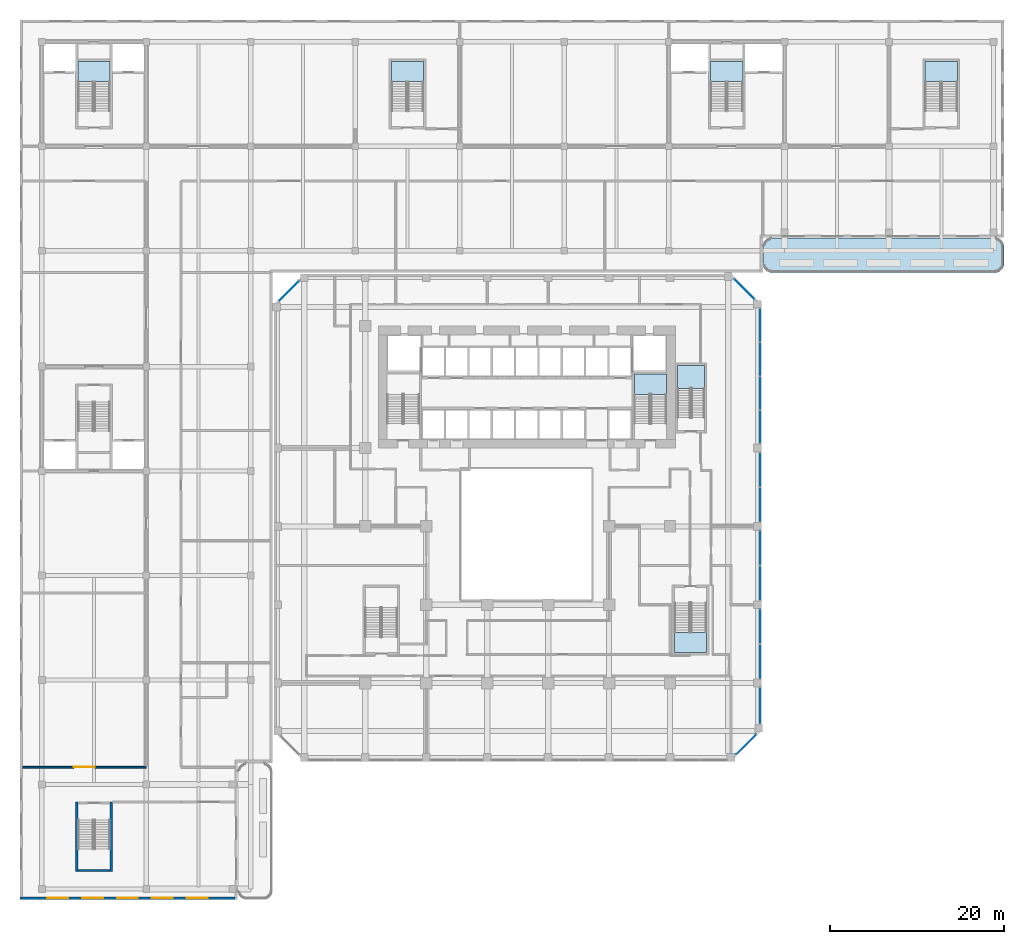
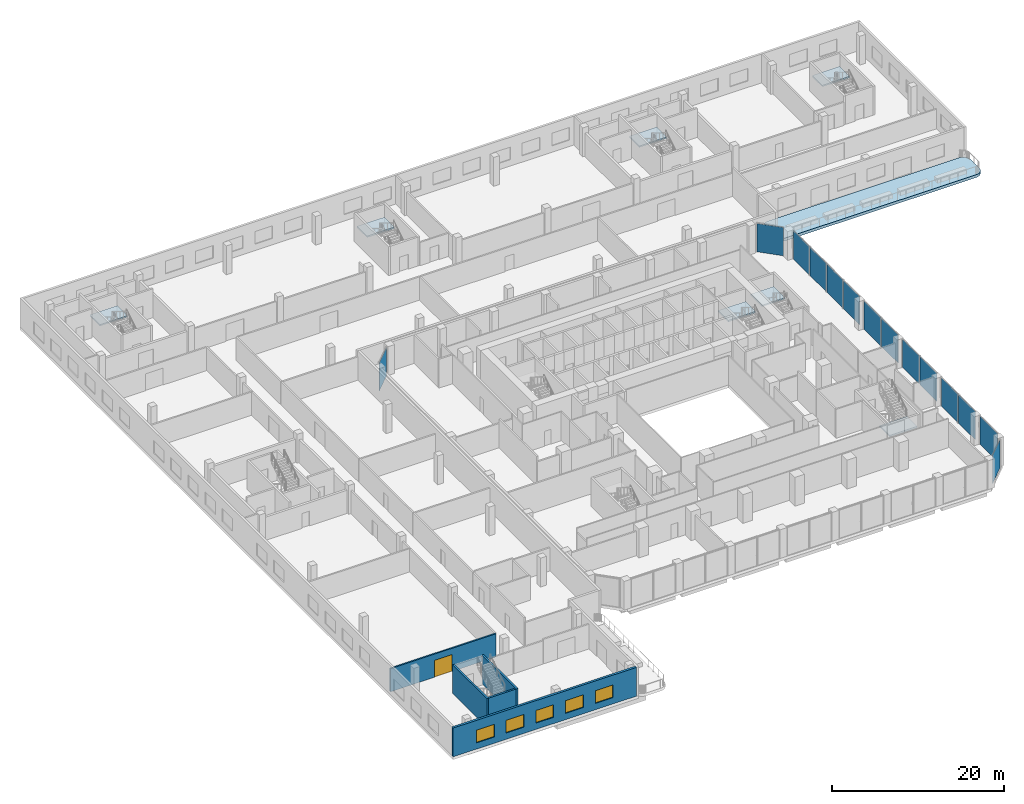
# One storey, part 12 of 35: 14 plates, 8 slabs, 5 walls, 5 windows, 1 door, 6 openings, 21 elements without a shape of their own.
"""IFC4 building model written with IfcOpenShell, lengths in metres."""

import ifcopenshell
import ifcopenshell.guid

model = None  # the IFC model being written
_history = None  # IfcOwnerHistory: only IFC2X3 demands one
_inside = {}  # id of a spatial element -> (the spatial element, [elements in it])
_under = {}  # id of a project, library or spatial element -> (it, [spatial elements below it])
_declared = {}  # id of a project -> (the project, [libraries it declares])
_typed = {}  # id of a type object -> (the type object, [elements of that type])
_made_of = {}  # id of a material, layer set ... -> (it, [elements and type objects made of it])


def new_model(schema):
    """Start an empty IFC model of exactly this schema.

    Asked for "IFC4X3", IfcOpenShell would pick the latest addendum, in which some entities
    have other attributes; the version numbers below select the first issue.
    IFC2X3 requires an IfcOwnerHistory on every rooted entity: one is made here for all.
    """
    global model, _history
    if schema == "IFC4X3":
        model = ifcopenshell.file(schema_version=(4, 3, 0, 0))
    else:
        model = ifcopenshell.file(schema=schema)
    _inside.clear()
    _under.clear()
    _declared.clear()
    _typed.clear()
    _made_of.clear()
    _history = None
    if model.schema == "IFC2X3":
        org = make("IfcOrganization", Name="unknown")
        user = make(
            "IfcPersonAndOrganization",
            ThePerson=make("IfcPerson", FamilyName="unknown"),
            TheOrganization=org,
        )
        app = make(
            "IfcApplication",
            ApplicationDeveloper=org,
            Version="unknown",
            ApplicationFullName="unknown",
            ApplicationIdentifier="unknown",
        )
        _history = make(
            "IfcOwnerHistory",
            OwningUser=user,
            OwningApplication=app,
            ChangeAction="ADDED",
            CreationDate=0,
        )
    return model


def make(cls, **values):
    """One entity of the class cls with the attributes given. An attribute that is None is left unset."""
    return model.create_entity(
        cls, **{name: value for name, value in values.items() if value is not None}
    )


def rooted(cls, **values):
    """An entity with a GlobalId (a new one), such as an element, a storey or a relation."""
    return make(cls, GlobalId=ifcopenshell.guid.new(), OwnerHistory=_history, **values)


def si_unit(unit_type, name, prefix=None):
    """IfcSIUnit, for example si_unit("LENGTHUNIT", "METRE", prefix="MILLI")."""
    return make("IfcSIUnit", UnitType=unit_type, Prefix=prefix, Name=name)


def assignment(units):
    """IfcUnitAssignment: the units of a project."""
    return None if units is None else make("IfcUnitAssignment", Units=units)


def point(xyz):
    """IfcCartesianPoint."""
    return None if xyz is None else make("IfcCartesianPoint", Coordinates=xyz)


def direction(xyz):
    """IfcDirection."""
    return None if xyz is None else make("IfcDirection", DirectionRatios=xyz)


def frame(location, z_axis=None, x_axis=None):
    """IfcAxis2Placement3D, a coordinate frame: its origin and axes. An axis left out is left unset."""
    return make(
        "IfcAxis2Placement3D",
        Location=point(location),
        Axis=direction(z_axis),
        RefDirection=direction(x_axis),
    )


def frame_2d(location, x_axis=None):
    """IfcAxis2Placement2D, a coordinate frame in the plane: its origin and x axis."""
    return make(
        "IfcAxis2Placement2D", Location=point(location), RefDirection=direction(x_axis)
    )


def origin():
    """The frame at (0, 0, 0) with its axes left unset."""
    return frame((0.0, 0.0, 0.0))


def origin_2d():
    """The frame at (0, 0) in the plane with its x axis left unset."""
    return frame_2d((0.0, 0.0))


def place(relative_to, where):
    """IfcLocalPlacement: puts the frame where relative to a parent placement (None: the world)."""
    return make(
        "IfcLocalPlacement", PlacementRelTo=relative_to, RelativePlacement=where
    )


def context(
    kind, dimensions, precision=None, world=None, true_north=None, identifier=None
):
    """IfcGeometricRepresentationContext, for example the 3D "Model" context."""
    return make(
        "IfcGeometricRepresentationContext",
        ContextIdentifier=identifier,
        ContextType=kind,
        CoordinateSpaceDimension=dimensions,
        Precision=precision,
        WorldCoordinateSystem=world,
        TrueNorth=true_north,
    )


def subcontext(parent, identifier, kind, view, scale=None):
    """IfcGeometricRepresentationSubContext, for example "Body" below "Model"."""
    return make(
        "IfcGeometricRepresentationSubContext",
        ContextIdentifier=identifier,
        ContextType=kind,
        ParentContext=parent,
        TargetScale=scale,
        TargetView=view,
    )


def project(units=None, contexts=None):
    """IfcProject with its units and contexts."""
    return rooted(
        "IfcProject",
        Name="project",
        RepresentationContexts=contexts,
        UnitsInContext=assignment(units),
    )


def spatial(cls, under=None, at=None, **own):
    """A site, building, storey or space (cls), placed at a placement, below another one or the project."""
    s = rooted(cls, ObjectPlacement=at, **own)
    if under is not None:
        _under.setdefault(under.id(), (under, []))[1].append(s)
    return s


def polyline(points):
    """IfcPolyline through the points."""
    return make("IfcPolyline", Points=[point(p) for p in points])


def profile(cls, at=None, kind="AREA", **sizes):
    """A parametric profile (cls). Its sizes go by their IFC names, for example OverallWidth=200.0."""
    return make(cls, ProfileType=kind, Position=at, **sizes)


def rectangle(**sizes):
    """IfcRectangleProfileDef."""
    return profile("IfcRectangleProfileDef", **sizes)


def outline(outer, holes=None, kind="AREA"):
    """IfcArbitraryClosedProfileDef: a profile drawn as a closed curve; with holes, ...WithVoids."""
    if holes is None:
        return make("IfcArbitraryClosedProfileDef", ProfileType=kind, OuterCurve=outer)
    return make(
        "IfcArbitraryProfileDefWithVoids",
        ProfileType=kind,
        OuterCurve=outer,
        InnerCurves=holes,
    )


def extrude(swept, where, along, depth):
    """IfcExtrudedAreaSolid: the profile swept, set in the frame where, extruded along a direction by depth."""
    return make(
        "IfcExtrudedAreaSolid",
        SweptArea=swept,
        Position=where,
        ExtrudedDirection=direction(along),
        Depth=depth,
    )


def shape(context_of_items, identifier, shape_type, items):
    """IfcShapeRepresentation: the items that make up one representation, for example the "Body"."""
    return make(
        "IfcShapeRepresentation",
        ContextOfItems=context_of_items,
        RepresentationIdentifier=identifier,
        RepresentationType=shape_type,
        Items=items,
    )


def source(mapping_origin, context_of_items, identifier, shape_type, items):
    """IfcRepresentationMap: a shape defined once, which mapped items show again and again."""
    return make(
        "IfcRepresentationMap",
        MappingOrigin=mapping_origin,
        MappedRepresentation=shape(context_of_items, identifier, shape_type, items),
    )


def transform(
    local_origin,
    x_axis=None,
    y_axis=None,
    z_axis=None,
    scale=None,
    scale2=None,
    scale3=None,
    uniform=True,
):
    """IfcCartesianTransformationOperator3D, or its non-uniform kind. x_axis, y_axis, z_axis: its Axis1, 2, 3."""
    if uniform:
        return make(
            "IfcCartesianTransformationOperator3D",
            Axis1=direction(x_axis),
            Axis2=direction(y_axis),
            LocalOrigin=point(local_origin),
            Scale=scale,
            Axis3=direction(z_axis),
        )
    return make(
        "IfcCartesianTransformationOperator3DnonUniform",
        Axis1=direction(x_axis),
        Axis2=direction(y_axis),
        LocalOrigin=point(local_origin),
        Scale=scale,
        Axis3=direction(z_axis),
        Scale2=scale2,
        Scale3=scale3,
    )


def mapped(mapping_source, mapping_target):
    """IfcMappedItem: shows the shape of a source again, moved by a transform."""
    return make(
        "IfcMappedItem", MappingSource=mapping_source, MappingTarget=mapping_target
    )


def material(Name=None, Category=None):
    """IfcMaterial."""
    return make("IfcMaterial", Name=Name, Category=Category)


def layer(
    of_material, thickness, ventilated=None, Name=None, Category=None, Priority=None
):
    """IfcMaterialLayer: one layer of a wall or slab, of a material (None: an air gap)."""
    return make(
        "IfcMaterialLayer",
        Material=of_material,
        LayerThickness=thickness,
        IsVentilated=ventilated,
        Name=Name,
        Category=Category,
        Priority=Priority,
    )


def layer_set(layers, Name=None):
    """IfcMaterialLayerSet."""
    return make("IfcMaterialLayerSet", MaterialLayers=layers, LayerSetName=Name)


def made_of(thing, what):
    """Note that an element or type object is made of a material, layer set ...; save() writes the relation."""
    if what is not None:
        _made_of.setdefault(what.id(), (what, []))[1].append(thing)
    return thing


def type_object(cls, material=None, **own):
    """A type object (cls), such as IfcWallType, which elements share."""
    return made_of(rooted(cls, **own), material)


def element(
    cls,
    number,
    at=None,
    inside=None,
    cuts=None,
    type_object=None,
    material=None,
    context=None,
    identifier="Body",
    shape_type=None,
    held_by="IfcProductDefinitionShape",
    body=None,
    shapes=None,
    **own,
):
    """One element of the class cls, such as IfcWall. Its Tag is "e" and its number.

    at: its placement. inside: the storey or other place that contains it. cuts: it is an
    opening in that element (IfcRelVoidsElement). A single representation is given by context,
    identifier, shape_type and body (its items); several are given by shapes. held_by: the class
    of the entity that holds the representations. save() writes the other relations.
    """
    e = rooted(cls, Tag="e%d" % number, ObjectPlacement=at, **own)
    if body is not None:
        shapes = [shape(context, identifier, shape_type, body)]
    if shapes is not None:
        e.Representation = make(held_by, Representations=shapes)
    if inside is not None:
        _inside.setdefault(inside.id(), (inside, []))[1].append(e)
    if cuts is not None:
        rooted(
            "IfcRelVoidsElement", RelatingBuildingElement=cuts, RelatedOpeningElement=e
        )
    if type_object is not None:
        _typed.setdefault(type_object.id(), (type_object, []))[1].append(e)
    return made_of(e, material)


def fill(opening, filler):
    """IfcRelFillsElement: the door or window that sits in an opening."""
    return rooted(
        "IfcRelFillsElement",
        RelatingOpeningElement=opening,
        RelatedBuildingElement=filler,
    )


def aggregate(whole, parts):
    """IfcRelAggregates: a whole, such as a stair, and the parts it consists of."""
    return rooted("IfcRelAggregates", RelatingObject=whole, RelatedObjects=parts)


def save(model, path):
    """Write the relations noted so far, then the file.

    IfcRelAggregates (storeys below a building ...), IfcRelContainedInSpatialStructure (elements
    in a storey), IfcRelDefinesByType, IfcRelAssociatesMaterial and IfcRelDeclares: one each for
    every whole, place, type object, material and project.
    """
    for whole, parts in _under.values():
        aggregate(whole, parts)
    for where, things in _inside.values():
        rooted(
            "IfcRelContainedInSpatialStructure",
            RelatedElements=things,
            RelatingStructure=where,
        )
    for kind, things in _typed.values():
        rooted("IfcRelDefinesByType", RelatedObjects=things, RelatingType=kind)
    for what, things in _made_of.values():
        rooted("IfcRelAssociatesMaterial", RelatedObjects=things, RelatingMaterial=what)
    for by, libraries in _declared.values():
        rooted("IfcRelDeclares", RelatingContext=by, RelatedDefinitions=libraries)
    model.write(path)


model = new_model("IFC4")

# Units and contexts
model_context = context("Model", 3, precision=1e-05, world=origin(), true_north=direction((0.0, 1.0)))
body_context = subcontext(model_context, "Body", "Model", "MODEL_VIEW")
ifc_project = project(units=[si_unit("LENGTHUNIT", "METRE"), si_unit("AREAUNIT", "SQUARE_METRE"), si_unit("VOLUMEUNIT", "CUBIC_METRE"), si_unit("PLANEANGLEUNIT", "RADIAN"), si_unit("MASSUNIT", "GRAM", prefix="KILO")], contexts=[model_context])

# Site, building, storey
site_placement = place(None, origin())
site = spatial("IfcSite", under=ifc_project, at=site_placement, CompositionType="ELEMENT")
building_placement = place(site_placement, origin())
building = spatial("IfcBuilding", under=site, at=building_placement, Name="Kilnfold Tower and Market Hall", CompositionType="ELEMENT")
storey_placement = place(building_placement, frame((0.0, 0.0, 13.5)))
storey = spatial("IfcBuildingStorey", under=building, at=storey_placement, Name="L02", CompositionType="ELEMENT", Elevation=13.5)

# Curtain wall, plate
ifc_material_1 = material(Name="Aluminium and double glazing", Category="aluminium")
curtain_wall_type = type_object("IfcCurtainWallType", Name="CW BASE PODIUM GLAZING", PredefinedType="NOTDEFINED", material=ifc_material_1)
curtain_wall_1_placement = place(storey_placement, origin())
curtain_wall_1 = element("IfcCurtainWall", 1, at=curtain_wall_1_placement, inside=storey, type_object=curtain_wall_type, Name="Curtain wall CW4 L02 E", PredefinedType="NOTDEFINED")
ifc_material_2 = material(Name="Double glazed unit")
ifc_layer_1 = layer(ifc_material_2, 0.035888671875)
ifc_layer_set_1 = layer_set([ifc_layer_1], Name="Double glazed unit")
plate_type = type_object("IfcPlateType", Name="GLAZING PANEL 36", PredefinedType="CURTAIN_PANEL", material=ifc_layer_set_1)
shared_shape_1 = source(origin(), body_context, "Body", "SweptSolid", [
    extrude(rectangle(XDim=3.909912109375, YDim=0.035888671875, at=origin_2d()), origin(), (0.0, 0.0, 1.0), 4.030029296875),
])
plate_1_placement = place(storey_placement, frame((27.85009765625, -16.52490234375, 0.0), z_axis=(0.0, 0.0, 1.0), x_axis=(0.0, 1.0, 0.0)))
plate_1 = element("IfcPlate", 2, at=plate_1_placement, type_object=plate_type, Name="CW4 panel 1.1", PredefinedType="CURTAIN_PANEL", context=body_context, shape_type="MappedRepresentation", body=[
    mapped(shared_shape_1, transform((0.0, 0.0, 0.0))),
])
aggregate(curtain_wall_1, [plate_1])

curtain_wall_2_placement = place(storey_placement, origin())
curtain_wall_2 = element("IfcCurtainWall", 3, at=curtain_wall_2_placement, inside=storey, type_object=curtain_wall_type, Name="Curtain wall CW4 L02 E", PredefinedType="NOTDEFINED")
plate_2_placement = place(storey_placement, frame((27.85009765625, -12.47509765625, 0.0), z_axis=(0.0, 0.0, 1.0), x_axis=(0.0, 1.0, 0.0)))
plate_2 = element("IfcPlate", 4, at=plate_2_placement, type_object=plate_type, Name="CW4 panel 1.1", PredefinedType="CURTAIN_PANEL", context=body_context, shape_type="MappedRepresentation", body=[
    mapped(shared_shape_1, transform((0.0, 0.0, 0.0))),
])
aggregate(curtain_wall_2, [plate_2])

curtain_wall_3_placement = place(storey_placement, origin())
curtain_wall_3 = element("IfcCurtainWall", 5, at=curtain_wall_3_placement, inside=storey, type_object=curtain_wall_type, Name="Curtain wall CW4 L02 E", PredefinedType="NOTDEFINED")
plate_3_placement = place(storey_placement, frame((27.85009765625, -7.52490234375, 0.0), z_axis=(0.0, 0.0, 1.0), x_axis=(0.0, 1.0, 0.0)))
plate_3 = element("IfcPlate", 6, at=plate_3_placement, type_object=plate_type, Name="CW4 panel 1.1", PredefinedType="CURTAIN_PANEL", context=body_context, shape_type="MappedRepresentation", body=[
    mapped(shared_shape_1, transform((0.0, 0.0, 0.0))),
])
aggregate(curtain_wall_3, [plate_3])

curtain_wall_4_placement = place(storey_placement, origin())
curtain_wall_4 = element("IfcCurtainWall", 7, at=curtain_wall_4_placement, inside=storey, type_object=curtain_wall_type, Name="Curtain wall CW4 L02 E", PredefinedType="NOTDEFINED")
plate_4_placement = place(storey_placement, frame((27.85009765625, -3.47509765625, 0.0), z_axis=(0.0, 0.0, 1.0), x_axis=(0.0, 1.0, 0.0)))
plate_4 = element("IfcPlate", 8, at=plate_4_placement, type_object=plate_type, Name="CW4 panel 1.1", PredefinedType="CURTAIN_PANEL", context=body_context, shape_type="MappedRepresentation", body=[
    mapped(shared_shape_1, transform((0.0, 0.0, 0.0))),
])
aggregate(curtain_wall_4, [plate_4])

curtain_wall_5_placement = place(storey_placement, origin())
curtain_wall_5 = element("IfcCurtainWall", 9, at=curtain_wall_5_placement, inside=storey, type_object=curtain_wall_type, Name="Curtain wall CW4 L02 E", PredefinedType="NOTDEFINED")
plate_5_placement = place(storey_placement, frame((27.85009765625, 1.47509765625, 0.0), z_axis=(0.0, 0.0, 1.0), x_axis=(0.0, 1.0, 0.0)))
plate_5 = element("IfcPlate", 10, at=plate_5_placement, type_object=plate_type, Name="CW4 panel 1.1", PredefinedType="CURTAIN_PANEL", context=body_context, shape_type="MappedRepresentation", body=[
    mapped(shared_shape_1, transform((0.0, 0.0, 0.0))),
])
aggregate(curtain_wall_5, [plate_5])

curtain_wall_6_placement = place(storey_placement, origin())
curtain_wall_6 = element("IfcCurtainWall", 11, at=curtain_wall_6_placement, inside=storey, type_object=curtain_wall_type, Name="Curtain wall CW4 L02 E", PredefinedType="NOTDEFINED")
plate_6_placement = place(storey_placement, frame((27.85009765625, 5.52490234375, 0.0), z_axis=(0.0, 0.0, 1.0), x_axis=(0.0, 1.0, 0.0)))
plate_6 = element("IfcPlate", 12, at=plate_6_placement, type_object=plate_type, Name="CW4 panel 1.1", PredefinedType="CURTAIN_PANEL", context=body_context, shape_type="MappedRepresentation", body=[
    mapped(shared_shape_1, transform((0.0, 0.0, 0.0))),
])
aggregate(curtain_wall_6, [plate_6])

curtain_wall_7_placement = place(storey_placement, origin())
curtain_wall_7 = element("IfcCurtainWall", 13, at=curtain_wall_7_placement, inside=storey, type_object=curtain_wall_type, Name="Curtain wall CW4 L02 E", PredefinedType="NOTDEFINED")
shared_shape_2 = source(origin(), body_context, "Body", "SweptSolid", [
    extrude(rectangle(XDim=3.760009765625, YDim=0.035888671875, at=origin_2d()), origin(), (0.0, 0.0, 1.0), 4.030029296875),
])
plate_7_placement = place(storey_placement, frame((27.85009765625, 10.39990234375, 0.0), z_axis=(0.0, 0.0, 1.0), x_axis=(0.0, 1.0, 0.0)))
plate_7 = element("IfcPlate", 14, at=plate_7_placement, type_object=plate_type, Name="CW4 panel 1.1", PredefinedType="CURTAIN_PANEL", context=body_context, shape_type="MappedRepresentation", body=[
    mapped(shared_shape_2, transform((0.0, 0.0, 0.0))),
])
aggregate(curtain_wall_7, [plate_7])

curtain_wall_8_placement = place(storey_placement, origin())
curtain_wall_8 = element("IfcCurtainWall", 15, at=curtain_wall_8_placement, inside=storey, type_object=curtain_wall_type, Name="Curtain wall CW4 L02 E", PredefinedType="NOTDEFINED")
plate_8_placement = place(storey_placement, frame((27.85009765625, 14.300048828125, 0.0), z_axis=(0.0, 0.0, 1.0), x_axis=(0.0, 1.0, 0.0)))
plate_8 = element("IfcPlate", 16, at=plate_8_placement, type_object=plate_type, Name="CW4 panel 1.1", PredefinedType="CURTAIN_PANEL", context=body_context, shape_type="MappedRepresentation", body=[
    mapped(shared_shape_2, transform((0.0, 0.0, 0.0))),
])
aggregate(curtain_wall_8, [plate_8])

curtain_wall_9_placement = place(storey_placement, origin())
curtain_wall_9 = element("IfcCurtainWall", 17, at=curtain_wall_9_placement, inside=storey, type_object=curtain_wall_type, Name="Curtain wall CW4 L02 E", PredefinedType="NOTDEFINED")
plate_9_placement = place(storey_placement, frame((27.85009765625, 18.199951171875, 0.0), z_axis=(0.0, 0.0, 1.0), x_axis=(0.0, 1.0, 0.0)))
plate_9 = element("IfcPlate", 18, at=plate_9_placement, type_object=plate_type, Name="CW4 panel 1.1", PredefinedType="CURTAIN_PANEL", context=body_context, shape_type="MappedRepresentation", body=[
    mapped(shared_shape_2, transform((0.0, 0.0, 0.0))),
])
aggregate(curtain_wall_9, [plate_9])

curtain_wall_10_placement = place(storey_placement, origin())
curtain_wall_10 = element("IfcCurtainWall", 19, at=curtain_wall_10_placement, inside=storey, type_object=curtain_wall_type, Name="Curtain wall CW4 L02 E", PredefinedType="NOTDEFINED")
plate_10_placement = place(storey_placement, frame((27.85009765625, 22.10009765625, 0.0), z_axis=(0.0, 0.0, 1.0), x_axis=(0.0, 1.0, 0.0)))
plate_10 = element("IfcPlate", 20, at=plate_10_placement, type_object=plate_type, Name="CW4 panel 1.1", PredefinedType="CURTAIN_PANEL", context=body_context, shape_type="MappedRepresentation", body=[
    mapped(shared_shape_2, transform((0.0, 0.0, 0.0))),
])
aggregate(curtain_wall_10, [plate_10])

curtain_wall_11_placement = place(storey_placement, origin())
curtain_wall_11 = element("IfcCurtainWall", 21, at=curtain_wall_11_placement, inside=storey, type_object=curtain_wall_type, Name="Curtain wall CW4 L02 SE", PredefinedType="NOTDEFINED")
shared_shape_3 = source(origin(), body_context, "Body", "SweptSolid", [
    extrude(rectangle(XDim=3.21875, YDim=0.035888671875, at=origin_2d()), origin(), (0.0, 0.0, 1.0), 4.030029296875),
])
plate_11_placement = place(storey_placement, frame((26.25634765625, -26.031494140625, 0.0), z_axis=(0.0, 0.0, 1.0), x_axis=(0.707121667181, 0.707091894879, 0.0)))
plate_11 = element("IfcPlate", 22, at=plate_11_placement, type_object=plate_type, Name="CW4 panel 1.1", PredefinedType="CURTAIN_PANEL", context=body_context, shape_type="MappedRepresentation", body=[
    mapped(shared_shape_3, transform((0.0, 0.0, 0.0))),
])
aggregate(curtain_wall_11, [plate_11])

curtain_wall_12_placement = place(storey_placement, origin())
curtain_wall_12 = element("IfcCurtainWall", 23, at=curtain_wall_12_placement, inside=storey, type_object=curtain_wall_type, Name="Curtain wall CW4 L02 NE", PredefinedType="NOTDEFINED")
plate_12_placement = place(storey_placement, frame((26.031494140625, 26.25634765625, 0.0), z_axis=(0.0, 0.0, 1.0), x_axis=(-0.707091894879, 0.707121667181, 0.0)))
plate_12 = element("IfcPlate", 24, at=plate_12_placement, type_object=plate_type, Name="CW4 panel 1.1", PredefinedType="CURTAIN_PANEL", context=body_context, shape_type="MappedRepresentation", body=[
    mapped(shared_shape_3, transform((0.0, 0.0, 0.0))),
])
aggregate(curtain_wall_12, [plate_12])

curtain_wall_13_placement = place(storey_placement, origin())
curtain_wall_13 = element("IfcCurtainWall", 25, at=curtain_wall_13_placement, inside=storey, type_object=curtain_wall_type, Name="Curtain wall CW4 L02 NW", PredefinedType="NOTDEFINED")
plate_13_placement = place(storey_placement, frame((-26.25634765625, 26.031494140625, 0.0), z_axis=(0.0, 0.0, 1.0), x_axis=(-0.707121667181, -0.707091894879, 0.0)))
plate_13 = element("IfcPlate", 26, at=plate_13_placement, type_object=plate_type, Name="CW4 panel 1.1", PredefinedType="CURTAIN_PANEL", context=body_context, shape_type="MappedRepresentation", body=[
    mapped(shared_shape_3, transform((0.0, 0.0, 0.0))),
])
aggregate(curtain_wall_13, [plate_13])

curtain_wall_14_placement = place(storey_placement, origin())
curtain_wall_14 = element("IfcCurtainWall", 27, at=curtain_wall_14_placement, inside=storey, type_object=curtain_wall_type, Name="Curtain wall CW4 L02 E", PredefinedType="NOTDEFINED")
shared_shape_4 = source(origin(), body_context, "Body", "SweptSolid", [
    extrude(rectangle(XDim=4.141845703125, YDim=0.035888671875, at=origin_2d()), origin(), (0.0, 0.0, 1.0), 4.030029296875),
])
plate_14_placement = place(storey_placement, frame((27.85009765625, -21.5908203125, 0.0), z_axis=(0.0, 0.0, 1.0), x_axis=(0.0, 1.0, 0.0)))
plate_14 = element("IfcPlate", 28, at=plate_14_placement, type_object=plate_type, Name="CW4 panel 1.1", PredefinedType="CURTAIN_PANEL", context=body_context, shape_type="MappedRepresentation", body=[
    mapped(shared_shape_4, transform((0.0, 0.0, 0.0))),
])
aggregate(curtain_wall_14, [plate_14])

# Slab
ifc_material_3 = material(Name="Concrete C40/50", Category="concrete")
ifc_layer_2 = layer(ifc_material_3, 0.39990234375)
ifc_layer_set_2 = layer_set([ifc_layer_2], Name="Concrete C40/50")
slab_type_1 = type_object("IfcSlabType", Name="TERRACE SLAB 400", PredefinedType="ROOF", material=ifc_layer_set_2)
shared_shape_5 = source(origin(), body_context, "Body", "SweptSolid", [
    extrude(outline(polyline([(55.85009765625, 29.14990234375), (55.84521484375, 29.052001953125), (55.830810546875, 28.954833984375), (55.806884765625, 28.859619140625), (55.77392578125, 28.767333984375), (55.73193359375, 28.6787109375), (55.681396484375, 28.594482421875), (55.623046875, 28.515625), (55.55712890625, 28.44287109375), (55.484375, 28.376953125), (55.405517578125, 28.318603515625), (55.3212890625, 28.26806640625), (55.232666015625, 28.22607421875), (55.140380859375, 28.193115234375), (55.045166015625, 28.169189453125), (54.947998046875, 28.15478515625), (54.85009765625, 28.14990234375), (29.159912109375, 28.14990234375), (29.06201171875, 28.15478515625), (28.96484375, 28.169189453125), (28.86962890625, 28.193115234375), (28.77734375, 28.22607421875), (28.688720703125, 28.26806640625), (28.6044921875, 28.318603515625), (28.525634765625, 28.376953125), (28.452880859375, 28.44287109375), (28.386962890625, 28.515625), (28.32861328125, 28.594482421875), (28.278076171875, 28.6787109375), (28.236083984375, 28.767333984375), (28.203125, 28.859619140625), (28.17919921875, 28.954833984375), (28.164794921875, 29.052001953125), (28.159912109375, 29.14990234375), (28.159912109375, 31.139892578125), (28.164794921875, 31.238037109375), (28.17919921875, 31.335205078125), (28.203125, 31.430419921875), (28.236083984375, 31.522705078125), (28.278076171875, 31.611328125), (28.32861328125, 31.695556640625), (28.386962890625, 31.7744140625), (28.452880859375, 31.84716796875), (28.525634765625, 31.9130859375), (28.6044921875, 31.971435546875), (28.688720703125, 32.02197265625), (28.77734375, 32.06396484375), (28.86962890625, 32.096923828125), (28.96484375, 32.120849609375), (29.06201171875, 32.13525390625), (29.159912109375, 32.139892578125), (54.85009765625, 32.139892578125), (54.947998046875, 32.13525390625), (55.045166015625, 32.120849609375), (55.140380859375, 32.096923828125), (55.232666015625, 32.06396484375), (55.3212890625, 32.02197265625), (55.405517578125, 31.971435546875), (55.484375, 31.9130859375), (55.55712890625, 31.84716796875), (55.623046875, 31.7744140625), (55.681396484375, 31.695556640625), (55.73193359375, 31.611328125), (55.77392578125, 31.522705078125), (55.806884765625, 31.430419921875), (55.830810546875, 31.335205078125), (55.84521484375, 31.238037109375), (55.85009765625, 31.139892578125), (55.85009765625, 29.14990234375)])), origin(), (0.0, 0.0, 1.0), 0.39990234375),
])
slab_1_placement = place(storey_placement, frame((0.0, 0.0, -0.39990234375)))
element("IfcSlab", 29, at=slab_1_placement, inside=storey, type_object=slab_type_1, Name="Terrace slab L02 part 2", PredefinedType="ROOF", context=body_context, shape_type="MappedRepresentation", body=[
    mapped(shared_shape_5, transform((0.0, 0.0, 0.0))),
])

# Stair, slab
ifc_material_4 = material(Name="Concrete C40/50", Category="concrete")
stair_type_1 = type_object("IfcStairType", Name="CORE STAIR 1800", PredefinedType="HALF_TURN_STAIR", material=ifc_material_4)
stair_1_placement = place(storey_placement, origin())
stair_1 = element("IfcStair", 30, at=stair_1_placement, inside=storey, type_object=stair_type_1, Name="L02 ST2", PredefinedType="HALF_TURN_STAIR")
ifc_material_5 = material(Name="Concrete C40/50", Category="concrete")
ifc_layer_3 = layer(ifc_material_5, 0.199951171875)
ifc_layer_set_3 = layer_set([ifc_layer_3], Name="Concrete C40/50")
slab_type_2 = type_object("IfcSlabType", Name="CORE STAIR LANDING 200", PredefinedType="LANDING", material=ifc_layer_set_3)
shared_shape_6 = source(origin(), body_context, "Body", "SweptSolid", [
    extrude(outline(polyline([(17.10009765625, 14.159912109375), (17.10009765625, 16.5), (13.39990234375, 16.5), (13.39990234375, 14.159912109375), (17.10009765625, 14.159912109375)])), origin(), (0.0, 0.0, 1.0), 0.199951171875),
])
slab_2_placement = place(storey_placement, frame((0.0, 0.0, 2.050048828125)))
slab_2 = element("IfcSlab", 31, at=slab_2_placement, type_object=slab_type_2, Name="ST2 landing 1", PredefinedType="LANDING", context=body_context, shape_type="MappedRepresentation", body=[
    mapped(shared_shape_6, transform((0.0, 0.0, 0.0))),
])
aggregate(stair_1, [slab_2])

stair_2_placement = place(storey_placement, origin())
stair_2 = element("IfcStair", 32, at=stair_2_placement, inside=storey, type_object=stair_type_1, Name="L02 ST4", PredefinedType="HALF_TURN_STAIR")
shared_shape_7 = source(origin(), body_context, "Body", "SweptSolid", [
    extrude(outline(polyline([(18.0, -13.159912109375), (18.0, -15.5), (21.699951171875, -15.5), (21.699951171875, -13.159912109375), (18.0, -13.159912109375)])), origin(), (0.0, 0.0, 1.0), 0.199951171875),
])
slab_3_placement = place(storey_placement, frame((0.0, 0.0, 2.050048828125)))
slab_3 = element("IfcSlab", 33, at=slab_3_placement, type_object=slab_type_2, Name="ST4 landing 1", PredefinedType="LANDING", context=body_context, shape_type="MappedRepresentation", body=[
    mapped(shared_shape_7, transform((0.0, 0.0, 0.0))),
])
aggregate(stair_2, [slab_3])

ifc_material_6 = material(Name="Concrete C40/50", Category="concrete")
stair_type_2 = type_object("IfcStairType", Name="CORE STAIR 1500", PredefinedType="HALF_TURN_STAIR", material=ifc_material_6)
stair_3_placement = place(storey_placement, origin())
stair_3 = element("IfcStair", 34, at=stair_3_placement, inside=storey, type_object=stair_type_2, Name="L02 ST5", PredefinedType="HALF_TURN_STAIR")
shared_shape_8 = source(origin(), body_context, "Body", "SweptSolid", [
    extrude(outline(polyline([(21.449951171875, 14.860107421875), (21.449951171875, 17.5), (18.35009765625, 17.5), (18.35009765625, 14.860107421875), (21.449951171875, 14.860107421875)])), origin(), (0.0, 0.0, 1.0), 0.199951171875),
])
slab_4_placement = place(storey_placement, frame((0.0, 0.0, 2.050048828125)))
slab_4 = element("IfcSlab", 35, at=slab_4_placement, type_object=slab_type_2, Name="ST5 landing 1", PredefinedType="LANDING", context=body_context, shape_type="MappedRepresentation", body=[
    mapped(shared_shape_8, transform((0.0, 0.0, 0.0))),
])
aggregate(stair_3, [slab_4])

ifc_material_7 = material(Name="Concrete C40/50", Category="concrete")
stair_type_3 = type_object("IfcStairType", Name="HALL STAIR", PredefinedType="HALF_TURN_STAIR", material=ifc_material_7)
stair_4_placement = place(storey_placement, origin())
stair_4 = element("IfcStair", 36, at=stair_4_placement, inside=storey, type_object=stair_type_3, Name="L02 MS3", PredefinedType="HALF_TURN_STAIR")
ifc_material_8 = material(Name="Concrete C40/50", Category="concrete")
ifc_layer_4 = layer(ifc_material_8, 0.199951171875)
ifc_layer_set_4 = layer_set([ifc_layer_4], Name="Concrete C40/50")
slab_type_3 = type_object("IfcSlabType", Name="HALL STAIR LANDING", PredefinedType="LANDING", material=ifc_layer_set_4)
shared_shape_9 = source(origin(), body_context, "Body", "SweptSolid", [
    extrude(outline(polyline([(-46.800048828125, 50.06005859375), (-46.800048828125, 52.39990234375), (-50.5, 52.39990234375), (-50.5, 50.06005859375), (-46.800048828125, 50.06005859375)])), origin(), (0.0, 0.0, 1.0), 0.199951171875),
])
slab_5_placement = place(storey_placement, frame((0.0, 0.0, 2.050048828125)))
slab_5 = element("IfcSlab", 37, at=slab_5_placement, type_object=slab_type_3, Name="MS3 landing 1", PredefinedType="LANDING", context=body_context, shape_type="MappedRepresentation", body=[
    mapped(shared_shape_9, transform((0.0, 0.0, 0.0))),
])
aggregate(stair_4, [slab_5])

stair_5_placement = place(storey_placement, origin())
stair_5 = element("IfcStair", 38, at=stair_5_placement, inside=storey, type_object=stair_type_3, Name="L02 MS4", PredefinedType="HALF_TURN_STAIR")
shared_shape_10 = source(origin(), body_context, "Body", "SweptSolid", [
    extrude(outline(polyline([(-10.800048828125, 50.06005859375), (-10.800048828125, 52.39990234375), (-14.5, 52.39990234375), (-14.5, 50.06005859375), (-10.800048828125, 50.06005859375)])), origin(), (0.0, 0.0, 1.0), 0.199951171875),
])
slab_6_placement = place(storey_placement, frame((0.0, 0.0, 2.050048828125)))
slab_6 = element("IfcSlab", 39, at=slab_6_placement, type_object=slab_type_3, Name="MS4 landing 1", PredefinedType="LANDING", context=body_context, shape_type="MappedRepresentation", body=[
    mapped(shared_shape_10, transform((0.0, 0.0, 0.0))),
])
aggregate(stair_5, [slab_6])

stair_6_placement = place(storey_placement, origin())
stair_6 = element("IfcStair", 40, at=stair_6_placement, inside=storey, type_object=stair_type_3, Name="L02 MS5", PredefinedType="HALF_TURN_STAIR")
shared_shape_11 = source(origin(), body_context, "Body", "SweptSolid", [
    extrude(outline(polyline([(25.85009765625, 50.06005859375), (25.85009765625, 52.39990234375), (22.14990234375, 52.39990234375), (22.14990234375, 50.06005859375), (25.85009765625, 50.06005859375)])), origin(), (0.0, 0.0, 1.0), 0.199951171875),
])
slab_7_placement = place(storey_placement, frame((0.0, 0.0, 2.050048828125)))
slab_7 = element("IfcSlab", 41, at=slab_7_placement, type_object=slab_type_3, Name="MS5 landing 1", PredefinedType="LANDING", context=body_context, shape_type="MappedRepresentation", body=[
    mapped(shared_shape_11, transform((0.0, 0.0, 0.0))),
])
aggregate(stair_6, [slab_7])

stair_7_placement = place(storey_placement, origin())
stair_7 = element("IfcStair", 42, at=stair_7_placement, inside=storey, type_object=stair_type_3, Name="L02 MS6", PredefinedType="HALF_TURN_STAIR")
shared_shape_12 = source(origin(), body_context, "Body", "SweptSolid", [
    extrude(outline(polyline([(50.5, 50.06005859375), (50.5, 52.39990234375), (46.800048828125, 52.39990234375), (46.800048828125, 50.06005859375), (50.5, 50.06005859375)])), origin(), (0.0, 0.0, 1.0), 0.199951171875),
])
slab_8_placement = place(storey_placement, frame((0.0, 0.0, 2.050048828125)))
slab_8 = element("IfcSlab", 43, at=slab_8_placement, type_object=slab_type_3, Name="MS6 landing 1", PredefinedType="LANDING", context=body_context, shape_type="MappedRepresentation", body=[
    mapped(shared_shape_12, transform((0.0, 0.0, 0.0))),
])
aggregate(stair_7, [slab_8])

# Walls
ifc_material_9 = material(Name="Concrete C50/60", Category="concrete")
ifc_layer_5 = layer(ifc_material_9, 0.25)
ifc_layer_set_5 = layer_set([ifc_layer_5], Name="Concrete C50/60")
wall_type_1 = type_object("IfcWallType", Name="HALL CORE WALL 250", PredefinedType="SHEAR", material=ifc_layer_set_5)
shared_shape_13 = source(origin(), body_context, "Body", "SweptSolid", [
    extrude(rectangle(XDim=3.699951171875, YDim=0.25, at=frame_2d((1.85009765625, 0.0))), origin(), (0.0, 0.0, 1.0), 4.10009765625),
])
wall_1_placement = place(storey_placement, frame((-50.5, -40.52490234375, 0.0), z_axis=(0.0, 0.0, 1.0), x_axis=(1.0, 0.0, 0.0)))
element("IfcWall", 44, at=wall_1_placement, inside=storey, type_object=wall_type_1, Name="Core wall MS1", PredefinedType="SHEAR", context=body_context, shape_type="MappedRepresentation", body=[
    mapped(shared_shape_13, transform((0.0, 0.0, 0.0))),
])
shared_shape_14 = source(origin(), body_context, "Body", "SweptSolid", [
    extrude(rectangle(XDim=8.0, YDim=0.25, at=frame_2d((4.0, 0.0))), origin(), (0.0, 0.0, 1.0), 4.10009765625),
])
for number, where, z_axis, x_axis, name in (
    (45, (-50.625, -40.64990234375, 0.0), (0.0, 0.0, 1.0), (0.0, 1.0, 0.0), "Core wall MS1"),
    (46, (-46.675048828125, -40.64990234375, 0.0), (0.0, 0.0, 1.0), (0.0, 1.0, 0.0), "Core wall MS1"),
):
    element("IfcWall", number, at=place(storey_placement, frame(where, z_axis=z_axis, x_axis=x_axis)), inside=storey, type_object=wall_type_1, Name=name, PredefinedType="SHEAR", context=body_context, shape_type="MappedRepresentation", body=[
        mapped(shared_shape_14, transform((0.0, 0.0, 0.0))),
    ])

# Wall, openings, windows
ifc_material_10 = material(Name="Concrete blockwork", Category="masonry")
ifc_layer_6 = layer(ifc_material_10, 0.300048828125)
ifc_layer_set_6 = layer_set([ifc_layer_6], Name="Concrete blockwork")
wall_type_2 = type_object("IfcWallType", Name="HALL EXTERNAL WALL 300 EI 60", PredefinedType="SOLIDWALL", material=ifc_layer_set_6)
shared_shape_15 = source(origin(), body_context, "Body", "SweptSolid", [
    extrude(rectangle(XDim=24.699951171875, YDim=0.300048828125, at=frame_2d((12.35009765625, 0.0))), origin(), (0.0, 0.0, 1.0), 4.10009765625),
])
wall_2_placement = place(storey_placement, frame((-32.449951171875, -43.699951171875, 0.0), z_axis=(0.0, 0.0, 1.0), x_axis=(-1.0, 0.0, 0.0)))
wall_2 = element("IfcWall", 47, at=wall_2_placement, inside=storey, type_object=wall_type_2, Name="External wall MEW-L02.10", PredefinedType="SOLIDWALL", context=body_context, shape_type="MappedRepresentation", body=[
    mapped(shared_shape_15, transform((0.0, 0.0, 0.0))),
])
opening_1_placement = place(wall_2_placement, frame((3.14990234375, 0.0, 0.89990234375)))
opening_1 = element("IfcOpeningElement", 48, at=opening_1_placement, cuts=wall_2, Name="Opening MEN3", PredefinedType="OPENING", context=body_context, shape_type="SweptSolid", body=[
    extrude(rectangle(XDim=2.39990234375, YDim=1.800048828125, at=frame_2d((1.199951171875, 0.89990234375))), frame((0.0, 0.16015625, 0.0), z_axis=(0.0, -1.0, 0.0), x_axis=(1.0, 0.0, 0.0)), (0.0, 0.0, 1.0), 0.320068359375),
])
opening_2_placement = place(wall_2_placement, frame((7.14990234375, 0.0, 0.89990234375)))
opening_2 = element("IfcOpeningElement", 49, at=opening_2_placement, cuts=wall_2, Name="Opening MEN3", PredefinedType="OPENING", context=body_context, shape_type="SweptSolid", body=[
    extrude(rectangle(XDim=2.39990234375, YDim=1.800048828125, at=frame_2d((1.199951171875, 0.89990234375))), frame((0.0, 0.16015625, 0.0), z_axis=(0.0, -1.0, 0.0), x_axis=(1.0, 0.0, 0.0)), (0.0, 0.0, 1.0), 0.320068359375),
])
opening_3_placement = place(wall_2_placement, frame((11.14990234375, 0.0, 0.89990234375)))
opening_3 = element("IfcOpeningElement", 50, at=opening_3_placement, cuts=wall_2, Name="Opening MEN3", PredefinedType="OPENING", context=body_context, shape_type="SweptSolid", body=[
    extrude(rectangle(XDim=2.39990234375, YDim=1.800048828125, at=frame_2d((1.199951171875, 0.89990234375))), frame((0.0, 0.16015625, 0.0), z_axis=(0.0, -1.0, 0.0), x_axis=(1.0, 0.0, 0.0)), (0.0, 0.0, 1.0), 0.320068359375),
])
opening_4_placement = place(wall_2_placement, frame((15.14990234375, 0.0, 0.89990234375)))
opening_4 = element("IfcOpeningElement", 51, at=opening_4_placement, cuts=wall_2, Name="Opening MEN3", PredefinedType="OPENING", context=body_context, shape_type="SweptSolid", body=[
    extrude(rectangle(XDim=2.39990234375, YDim=1.800048828125, at=frame_2d((1.199951171875, 0.89990234375))), frame((0.0, 0.16015625, 0.0), z_axis=(0.0, -1.0, 0.0), x_axis=(1.0, 0.0, 0.0)), (0.0, 0.0, 1.0), 0.320068359375),
])
opening_5_placement = place(wall_2_placement, frame((19.14990234375, 0.0, 0.89990234375)))
opening_5 = element("IfcOpeningElement", 52, at=opening_5_placement, cuts=wall_2, Name="Opening MEN3", PredefinedType="OPENING", context=body_context, shape_type="SweptSolid", body=[
    extrude(rectangle(XDim=2.39990234375, YDim=1.800048828125, at=frame_2d((1.199951171875, 0.89990234375))), frame((0.0, 0.16015625, 0.0), z_axis=(0.0, -1.0, 0.0), x_axis=(1.0, 0.0, 0.0)), (0.0, 0.0, 1.0), 0.320068359375),
])
ifc_material_11 = material(Name="Aluminium glazing", Category="aluminium")
window_type = type_object("IfcWindowType", Name="HALL WINDOW 2400X1800", PartitioningType="SINGLE_PANEL", PredefinedType="WINDOW", material=ifc_material_11)
window_1_placement = place(opening_1_placement, origin())
window_1 = element("IfcWindow", 53, at=window_1_placement, inside=storey, type_object=window_type, Name="Window upper", OverallHeight=1.800048828125, OverallWidth=2.39990234375, PartitioningType="SINGLE_PANEL", PredefinedType="WINDOW", context=body_context, shape_type="SweptSolid", body=[
    extrude(rectangle(XDim=2.39990234375, YDim=1.800048828125, at=frame_2d((1.199951171875, 0.89990234375))), frame((0.0, 0.030029296875, 0.0), z_axis=(0.0, -1.0, 0.0), x_axis=(1.0, 0.0, 0.0)), (0.0, 0.0, 1.0), 0.06005859375),
])
fill(opening_1, window_1)
window_2_placement = place(opening_2_placement, origin())
window_2 = element("IfcWindow", 54, at=window_2_placement, inside=storey, type_object=window_type, Name="Window upper", OverallHeight=1.800048828125, OverallWidth=2.39990234375, PartitioningType="SINGLE_PANEL", PredefinedType="WINDOW", context=body_context, shape_type="SweptSolid", body=[
    extrude(rectangle(XDim=2.39990234375, YDim=1.800048828125, at=frame_2d((1.199951171875, 0.89990234375))), frame((0.0, 0.030029296875, 0.0), z_axis=(0.0, -1.0, 0.0), x_axis=(1.0, 0.0, 0.0)), (0.0, 0.0, 1.0), 0.06005859375),
])
fill(opening_2, window_2)
window_3_placement = place(opening_3_placement, origin())
window_3 = element("IfcWindow", 55, at=window_3_placement, inside=storey, type_object=window_type, Name="Window upper", OverallHeight=1.800048828125, OverallWidth=2.39990234375, PartitioningType="SINGLE_PANEL", PredefinedType="WINDOW", context=body_context, shape_type="SweptSolid", body=[
    extrude(rectangle(XDim=2.39990234375, YDim=1.800048828125, at=frame_2d((1.199951171875, 0.89990234375))), frame((0.0, 0.030029296875, 0.0), z_axis=(0.0, -1.0, 0.0), x_axis=(1.0, 0.0, 0.0)), (0.0, 0.0, 1.0), 0.06005859375),
])
fill(opening_3, window_3)
window_4_placement = place(opening_4_placement, origin())
window_4 = element("IfcWindow", 56, at=window_4_placement, inside=storey, type_object=window_type, Name="Window upper", OverallHeight=1.800048828125, OverallWidth=2.39990234375, PartitioningType="SINGLE_PANEL", PredefinedType="WINDOW", context=body_context, shape_type="SweptSolid", body=[
    extrude(rectangle(XDim=2.39990234375, YDim=1.800048828125, at=frame_2d((1.199951171875, 0.89990234375))), frame((0.0, 0.030029296875, 0.0), z_axis=(0.0, -1.0, 0.0), x_axis=(1.0, 0.0, 0.0)), (0.0, 0.0, 1.0), 0.06005859375),
])
fill(opening_4, window_4)
window_5_placement = place(opening_5_placement, origin())
window_5 = element("IfcWindow", 57, at=window_5_placement, inside=storey, type_object=window_type, Name="Window upper", OverallHeight=1.800048828125, OverallWidth=2.39990234375, PartitioningType="SINGLE_PANEL", PredefinedType="WINDOW", context=body_context, shape_type="SweptSolid", body=[
    extrude(rectangle(XDim=2.39990234375, YDim=1.800048828125, at=frame_2d((1.199951171875, 0.89990234375))), frame((0.0, 0.030029296875, 0.0), z_axis=(0.0, -1.0, 0.0), x_axis=(1.0, 0.0, 0.0)), (0.0, 0.0, 1.0), 0.06005859375),
])
fill(opening_5, window_5)

# Wall, opening, door
ifc_material_12 = material(Name="Concrete blockwork", Category="masonry")
ifc_layer_7 = layer(ifc_material_12, 0.199951171875)
ifc_layer_set_7 = layer_set([ifc_layer_7], Name="Concrete blockwork")
wall_type_3 = type_object("IfcWallType", Name="HALL PARTITION 200 EI 60", PredefinedType="PARTITIONING", material=ifc_layer_set_7)
shared_shape_16 = source(origin(), body_context, "Body", "SweptSolid", [
    extrude(rectangle(XDim=14.2001953125, YDim=0.199951171875, at=frame_2d((7.10009765625, 0.0))), origin(), (0.0, 0.0, 1.0), 3.300048828125),
])
wall_3_placement = place(storey_placement, frame((-56.85009765625, -28.64990234375, 0.0), z_axis=(0.0, 0.0, 1.0), x_axis=(1.0, 0.0, 0.0)))
wall_3 = element("IfcWall", 58, at=wall_3_placement, inside=storey, type_object=wall_type_3, Name="Partition W-MH-L02.1", PredefinedType="PARTITIONING", context=body_context, shape_type="MappedRepresentation", body=[
    mapped(shared_shape_16, transform((0.0, 0.0, 0.0))),
])
opening_6_placement = place(wall_3_placement, frame((5.89990234375, 0.0, 0.0)))
opening_6 = element("IfcOpeningElement", 59, at=opening_6_placement, cuts=wall_3, Name="Opening MD7-60", PredefinedType="OPENING", context=body_context, shape_type="SweptSolid", body=[
    extrude(rectangle(XDim=2.39990234375, YDim=2.39990234375, at=frame_2d((1.199951171875, 1.199951171875))), frame((0.0, 0.10986328125, 0.0), z_axis=(0.0, -1.0, 0.0), x_axis=(1.0, 0.0, 0.0)), (0.0, 0.0, 1.0), 0.219970703125),
])
ifc_material_13 = material(Name="Aluminium glazing", Category="aluminium")
door_type = type_object("IfcDoorType", Name="HALL DOOR HALL 2400X2400 FD60", OperationType="NOTDEFINED", PredefinedType="DOOR", material=ifc_material_13)
door_placement = place(opening_6_placement, origin())
door = element("IfcDoor", 60, at=door_placement, inside=storey, type_object=door_type, Name="Door MD7-60", OperationType="DOUBLE_DOOR_SINGLE_SWING", OverallHeight=2.39990234375, OverallWidth=2.39990234375, PredefinedType="DOOR", context=body_context, shape_type="SweptSolid", body=[
    extrude(rectangle(XDim=2.39990234375, YDim=2.39990234375, at=frame_2d((1.199951171875, 1.199951171875))), frame((0.0, 0.02490234375, 0.0), z_axis=(0.0, -1.0, 0.0), x_axis=(1.0, 0.0, 0.0)), (0.0, 0.0, 1.0), 0.050048828125),
])
fill(opening_6, door)

save(model, "model.ifc")
